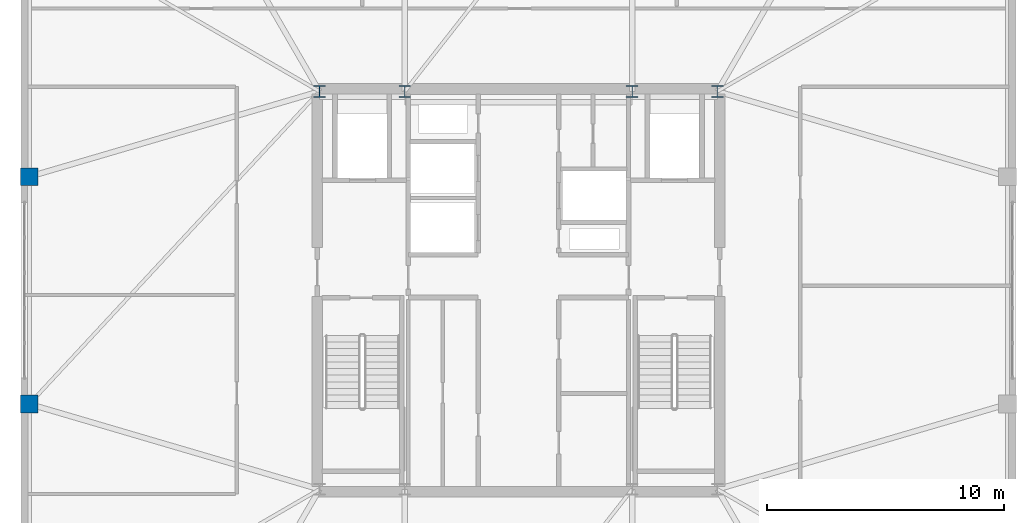
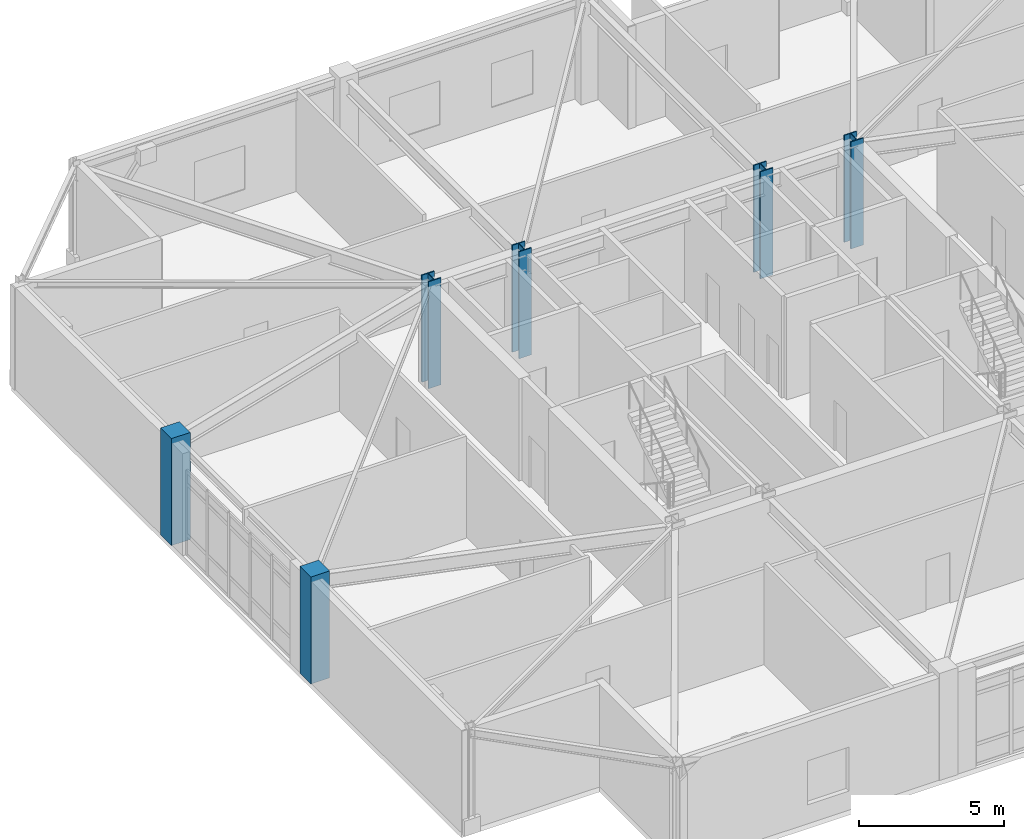
# One storey, part 2 of 16: 6 columns.
"""IFC4 building model written with IfcOpenShell, lengths in metres."""

from ifc_helpers import new_model, si_unit, direction, frame, origin, origin_2d, place, context, subcontext, project, spatial, rectangle, i_section, extrude, material, material_profile, profile_set, type_object, element, save


model = new_model("IFC4")

# Units and contexts
model_context = context("Model", 3, precision=1e-05, world=origin(), true_north=direction((0.0, 1.0)))
body_context = subcontext(model_context, "Body", "Model", "MODEL_VIEW")
ifc_project = project(units=[si_unit("LENGTHUNIT", "METRE"), si_unit("AREAUNIT", "SQUARE_METRE"), si_unit("VOLUMEUNIT", "CUBIC_METRE"), si_unit("PLANEANGLEUNIT", "RADIAN"), si_unit("MASSUNIT", "GRAM", prefix="KILO")], contexts=[model_context])

# Site, building, storey
site_placement = place(None, origin())
site = spatial("IfcSite", under=ifc_project, at=site_placement, CompositionType="ELEMENT")
building_placement = place(site_placement, origin())
building = spatial("IfcBuilding", under=site, at=building_placement, Name="Cairnveth Concourse Tower", CompositionType="ELEMENT")
storey_placement = place(building_placement, frame((0.0, 0.0, 315.5)))
storey = spatial("IfcBuildingStorey", under=building, at=storey_placement, Name="L87", CompositionType="ELEMENT", Elevation=315.5)

# Columns
ifc_material_1 = material(Name="Concrete N50 (50 MPa)", Category="concrete")
ifc_material_profile_1 = material_profile(ifc_material_1, rectangle(XDim=0.75, YDim=0.75, at=origin_2d()), Name="RC-COL-750x750")
ifc_profile_set_1 = profile_set([ifc_material_profile_1], Name="Concrete N50 (50 MPa)")
column_type_1 = type_object("IfcColumnType", Name="PERIMETER PIER COLUMN 750X750", PredefinedType="COLUMN", material=ifc_profile_set_1)
for number, where, z_axis, x_axis, name in (
    (1, (31.35009765625, 43.800048828125, 0.0), (0.0, 0.0, 1.0), (0.0, 1.0, 0.0), "Column P-W2 L87"),
    (2, (31.35009765625, 34.199951171875, 0.0), (0.0, 0.0, 1.0), (0.0, 1.0, 0.0), "Column P-W3 L87"),
):
    element("IfcColumn", number, at=place(storey_placement, frame(where, z_axis=z_axis, x_axis=x_axis)), inside=storey, type_object=column_type_1, Name=name, PredefinedType="COLUMN", context=body_context, shape_type="SweptSolid", body=[
        extrude(rectangle(XDim=0.75, YDim=0.75, at=origin_2d()), origin(), (0.0, 0.0, 1.0), 4.5),
    ])
ifc_material_2 = material(Name="Steel Grade 350", Category="steel")
ifc_material_profile_2 = material_profile(ifc_material_2, i_section(OverallWidth=0.5, OverallDepth=0.5, WebThickness=0.028076171875, FlangeThickness=0.044921875, at=origin_2d()), Name="500WC383")
ifc_profile_set_2 = profile_set([ifc_material_profile_2], Name="Steel Grade 350")
column_type_2 = type_object("IfcColumnType", Name="WELDED STEEL COLUMN 500WC383", PredefinedType="COLUMN", material=ifc_profile_set_2)
for number, where, z_axis, x_axis, name in (
    (3, (43.60009765625, 47.39990234375, 0.0), (0.0, 0.0, 1.0), (1.0, 0.0, 0.0), "Column CC5 L87"),
    (4, (47.199951171875, 47.39990234375, 0.0), (0.0, 0.0, 1.0), (1.0, 0.0, 0.0), "Column CC6 L87"),
    (5, (56.800048828125, 47.39990234375, 0.0), (0.0, 0.0, 1.0), (1.0, 0.0, 0.0), "Column CC7 L87"),
    (6, (60.39990234375, 47.39990234375, 0.0), (0.0, 0.0, 1.0), (1.0, 0.0, 0.0), "Column CC8 L87"),
):
    element("IfcColumn", number, at=place(storey_placement, frame(where, z_axis=z_axis, x_axis=x_axis)), inside=storey, type_object=column_type_2, Name=name, PredefinedType="COLUMN", context=body_context, shape_type="SweptSolid", body=[
        extrude(i_section(OverallWidth=0.5, OverallDepth=0.5, WebThickness=0.028076171875, FlangeThickness=0.044921875, at=origin_2d()), origin(), (0.0, 0.0, 1.0), 4.5),
    ])

save(model, "model.ifc")
